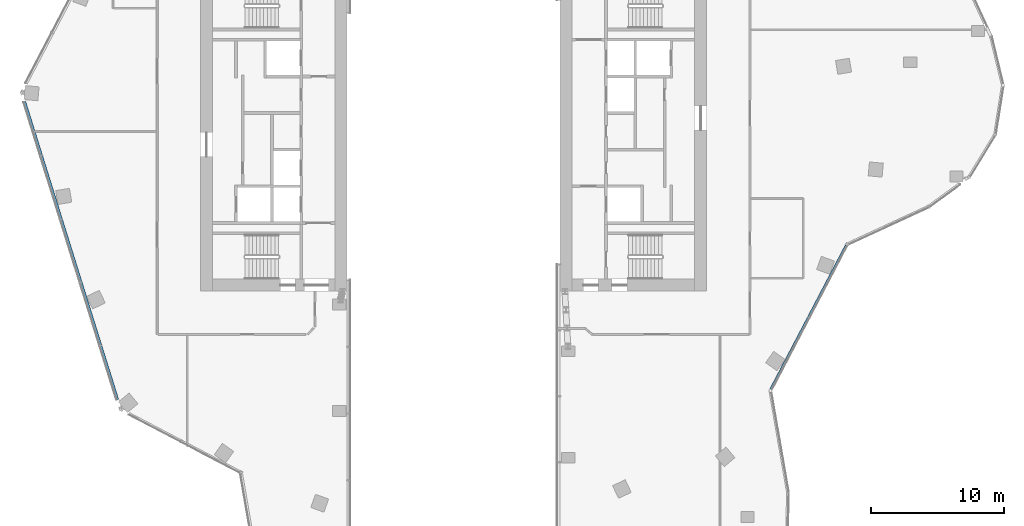
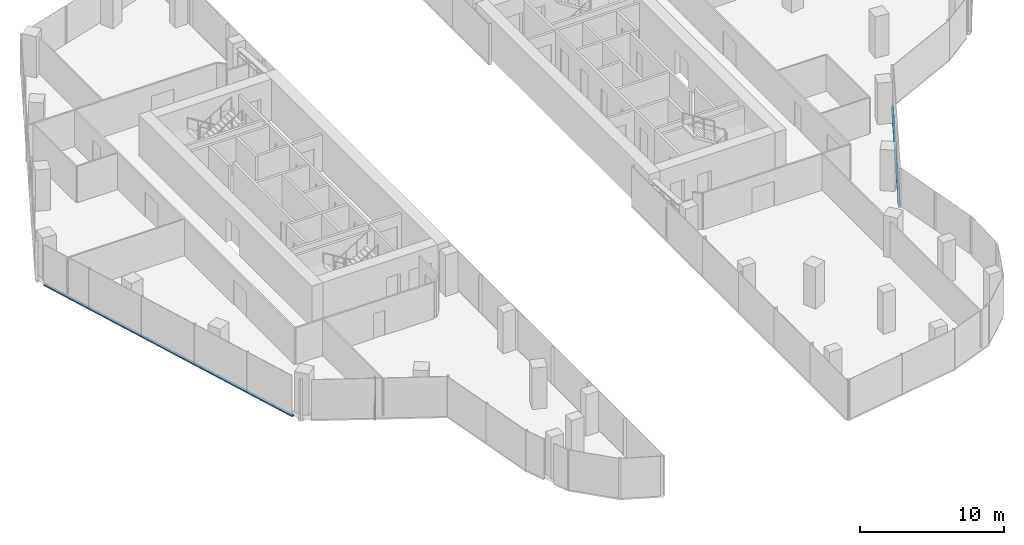
# One storey, part 4 of 23: 2 members, 2 elements without a shape of their own.
"""IFC4 building model written with IfcOpenShell, lengths in metres."""

from ifc_helpers import new_model, si_unit, direction, frame, origin, origin_2d, place, context, subcontext, project, spatial, rectangle, extrude, material, material_profile, profile_set, type_object, element, aggregate, save


model = new_model("IFC4")

# Units and contexts
model_context = context("Model", 3, precision=1e-05, world=origin(), true_north=direction((0.0, 1.0)))
body_context = subcontext(model_context, "Body", "Model", "MODEL_VIEW")
ifc_project = project(units=[si_unit("LENGTHUNIT", "METRE"), si_unit("AREAUNIT", "SQUARE_METRE"), si_unit("VOLUMEUNIT", "CUBIC_METRE"), si_unit("PLANEANGLEUNIT", "RADIAN"), si_unit("MASSUNIT", "GRAM", prefix="KILO")], contexts=[model_context])

# Site, building, storey
site_placement = place(None, origin())
site = spatial("IfcSite", under=ifc_project, at=site_placement, CompositionType="ELEMENT")
building_placement = place(site_placement, origin())
building = spatial("IfcBuilding", under=site, at=building_placement, Name="Orlundy Tower", CompositionType="ELEMENT")
storey_placement = place(building_placement, frame((0.0, 0.0, 260.5)))
storey = spatial("IfcBuildingStorey", under=building, at=storey_placement, Name="L69", CompositionType="ELEMENT", Elevation=260.5)

# Curtain wall, member
ifc_material_1 = material(Name="Aluminium bronze anodised", Category="aluminium")
curtain_wall_type = type_object("IfcCurtainWallType", Name="CW1 wall", PredefinedType="NOTDEFINED", material=ifc_material_1)
curtain_wall_1_placement = place(storey_placement, origin())
curtain_wall_1 = element("IfcCurtainWall", 1, at=curtain_wall_1_placement, inside=storey, type_object=curtain_wall_type, Name="CW1 run 01", PredefinedType="NOTDEFINED")
ifc_material_2 = material(Name="Aluminium bronze anodised", Category="aluminium")
ifc_material_profile = material_profile(ifc_material_2, rectangle(XDim=0.179931640625, YDim=0.1201171875, at=origin_2d()), Name="CW1 transom 180x120")
ifc_profile_set = profile_set([ifc_material_profile], Name="Aluminium bronze anodised")
member_type = type_object("IfcMemberType", Name="CW1 transom 180x120", PredefinedType="USERDEFINED", material=ifc_profile_set)
member_1_placement = place(storey_placement, frame((-25.2275390625, -20.16455078125, -0.340087890625), z_axis=(-0.297957453874, 0.954579151082, 0.0), x_axis=(-0.954579151082, -0.297957453874, 0.0)))
member_1 = element("IfcMember", 2, at=member_1_placement, type_object=member_type, Name="CW1 transom", ObjectType="TRANSOM", PredefinedType="USERDEFINED", context=body_context, shape_type="SweptSolid", body=[
    extrude(rectangle(XDim=0.179931640625, YDim=0.1201171875, at=origin_2d()), origin(), (0.0, 0.0, 1.0), 23.46630859375),
])
aggregate(curtain_wall_1, [member_1])

curtain_wall_2_placement = place(storey_placement, origin())
curtain_wall_2 = element("IfcCurtainWall", 3, at=curtain_wall_2_placement, inside=storey, type_object=curtain_wall_type, Name="CW1 run 111", PredefinedType="NOTDEFINED")
member_2_placement = place(storey_placement, frame((29.49267578125, -8.548583984375, -0.340087890625), z_axis=(-0.464325680741, -0.885664531414, 0.0), x_axis=(0.885664531414, -0.464325680741, 0.0)))
member_2 = element("IfcMember", 4, at=member_2_placement, type_object=member_type, Name="CW1 transom", ObjectType="TRANSOM", PredefinedType="USERDEFINED", context=body_context, shape_type="SweptSolid", body=[
    extrude(rectangle(XDim=0.179931640625, YDim=0.1201171875, at=origin_2d()), origin(), (0.0, 0.0, 1.0), 12.22216796875),
])
aggregate(curtain_wall_2, [member_2])

save(model, "model.ifc")
